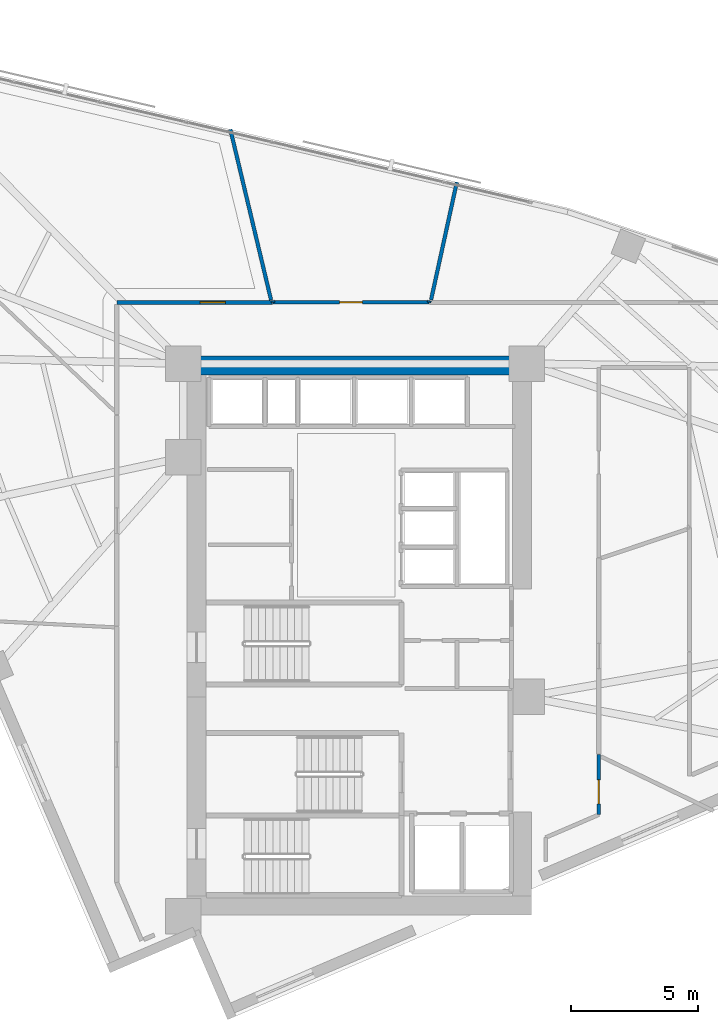
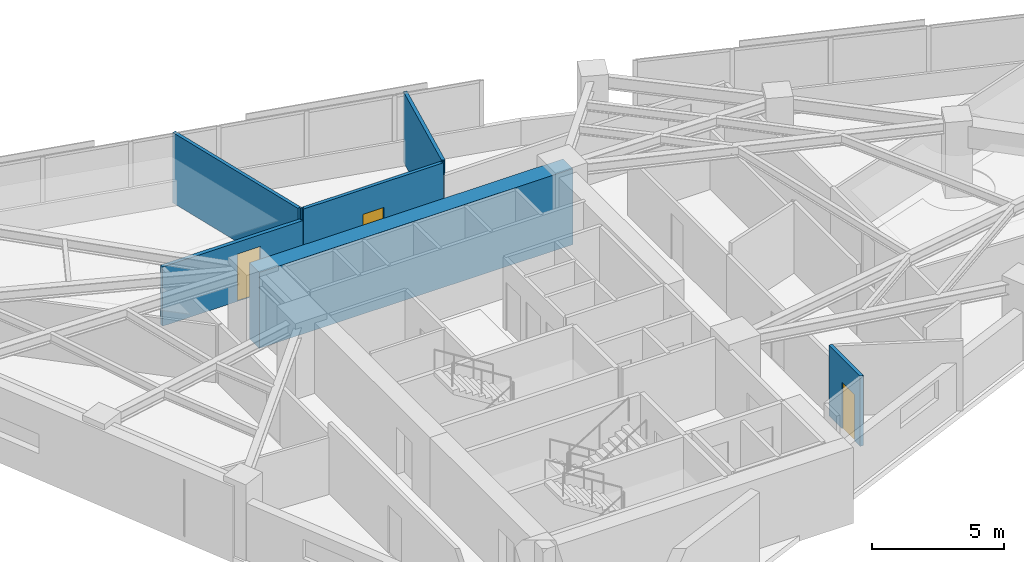
# One storey, part 10 of 15: 8 walls, 3 doors, 3 openings.
"""IFC4 building model written with IfcOpenShell, lengths in metres."""

from ifc_helpers import new_model, si_unit, direction, frame, frame_2d, origin, place, context, subcontext, project, spatial, rectangle, extrude, material, layer, layer_set, type_object, element, fill, save


model = new_model("IFC4")

# Units and contexts
model_context = context("Model", 3, precision=1e-05, world=origin(), true_north=direction((0.0, 1.0)))
body_context = subcontext(model_context, "Body", "Model", "MODEL_VIEW")
ifc_project = project(units=[si_unit("LENGTHUNIT", "METRE"), si_unit("AREAUNIT", "SQUARE_METRE"), si_unit("VOLUMEUNIT", "CUBIC_METRE"), si_unit("PLANEANGLEUNIT", "RADIAN"), si_unit("MASSUNIT", "GRAM", prefix="KILO")], contexts=[model_context])

# Site, building, storey
site_placement = place(None, origin())
site = spatial("IfcSite", under=ifc_project, at=site_placement, CompositionType="ELEMENT")
building_placement = place(site_placement, origin())
building = spatial("IfcBuilding", under=site, at=building_placement, Name="Narakoshi Arena Tower", CompositionType="ELEMENT")
storey_placement = place(building_placement, frame((0.0, 0.0, 186.139892578125)))
storey = spatial("IfcBuildingStorey", under=building, at=storey_placement, Name="L50", CompositionType="ELEMENT", Elevation=186.139892578125)

# Wall
ifc_material_1 = material(Name="Concrete C50/60", Category="concrete")
ifc_layer_1 = layer(ifc_material_1, 0.75)
ifc_layer_set_1 = layer_set([ifc_layer_1], Name="Concrete C50/60")
wall_type_1 = type_object("IfcWallType", Name="WL-CORE-750", PredefinedType="SHEAR", material=ifc_layer_set_1)
wall_1_placement = place(storey_placement, frame((72.0, 56.425048828125, -0.260009765625), z_axis=(0.0, 0.0, 1.0), x_axis=(1.0, 0.0, 0.0)))
element("IfcWall", 1, at=wall_1_placement, inside=storey, type_object=wall_type_1, Name="L50 Main Core Shear Wall CW-MN-N", PredefinedType="SHEAR", context=body_context, shape_type="SweptSolid", body=[
    extrude(rectangle(XDim=13.75, YDim=0.75, at=frame_2d((6.875, 0.0))), origin(), (0.0, 0.0, 1.0), 3.52001953125),
])

# Wall, opening, door
ifc_material_2 = material(Name="Gypsum plasterboard fire-rated partition")
ifc_layer_2 = layer(ifc_material_2, 0.1650390625)
ifc_layer_set_2 = layer_set([ifc_layer_2], Name="Gypsum plasterboard fire-rated partition")
wall_type_2 = type_object("IfcWallType", Name="WL-CORR-165", PredefinedType="PARTITIONING", material=ifc_layer_set_2)
wall_2_placement = place(storey_placement, frame((75.524169921875, 58.9189453125, 0.0), z_axis=(0.0, 0.0, 1.0), x_axis=(-1.0, 0.0, 0.0)))
wall_2 = element("IfcWall", 2, at=wall_2_placement, inside=storey, type_object=wall_type_2, Name="L50 Corridor Partition 07-1", PredefinedType="PARTITIONING", context=body_context, shape_type="SweptSolid", body=[
    extrude(rectangle(XDim=6.14794921875, YDim=0.1650390625, at=frame_2d((3.073974609375, 0.0))), origin(), (0.0, 0.0, 1.0), 2.7451171875),
])
opening_1_placement = place(wall_2_placement, frame((1.86181640625, 0.0, 0.0)))
opening_1 = element("IfcOpeningElement", 3, at=opening_1_placement, cuts=wall_2, Name="Opening D-06", PredefinedType="OPENING", context=body_context, shape_type="SweptSolid", body=[
    extrude(rectangle(XDim=1.0, YDim=2.199951171875, at=frame_2d((0.5, 1.10009765625))), frame((0.0, 0.092529296875, 0.0), z_axis=(0.0, -1.0, 0.0), x_axis=(1.0, 0.0, 0.0)), (0.0, 0.0, 1.0), 0.18505859375),
])
ifc_material_3 = material(Name="Stained oak solid-core timber", Category="wood")
door_type_1 = type_object("IfcDoorType", Name="DR-OFF-1000", OperationType="NOTDEFINED", PredefinedType="DOOR", material=ifc_material_3)
door_1_placement = place(opening_1_placement, frame((1.0, 0.0, 0.0), z_axis=(0.0, 0.0, 1.0), x_axis=(-1.0, 0.0, 0.0)))
door_1 = element("IfcDoor", 4, at=door_1_placement, inside=storey, type_object=door_type_1, Name="DR-L50-021", OperationType="SINGLE_SWING_RIGHT", OverallHeight=2.199951171875, OverallWidth=1.0, PredefinedType="DOOR", context=body_context, shape_type="SweptSolid", body=[
    extrude(rectangle(XDim=1.0, YDim=2.199951171875, at=frame_2d((0.5, 1.10009765625))), frame((0.0, 0.02490234375, 0.0), z_axis=(0.0, -1.0, 0.0), x_axis=(1.0, 0.0, 0.0)), (0.0, 0.0, 1.0), 0.050048828125),
])
fill(opening_1, door_1)

ifc_material_4 = material(Name="Moisture-resistant cement-board partition")
ifc_layer_3 = layer(ifc_material_4, 0.14501953125)
ifc_layer_set_3 = layer_set([ifc_layer_3], Name="Moisture-resistant cement-board partition")
wall_type_3 = type_object("IfcWallType", Name="WL-WET-145", PredefinedType="PARTITIONING", material=ifc_layer_set_3)
wall_3_placement = place(storey_placement, frame((88.39990234375, 38.69921875, 0.0), z_axis=(0.0, 0.0, 1.0), x_axis=(0.0, 1.0, 0.0)))
wall_3 = element("IfcWall", 5, at=wall_3_placement, inside=storey, type_object=wall_type_3, Name="L50 Corridor Partition 02-1", PredefinedType="PARTITIONING", context=body_context, shape_type="SweptSolid", body=[
    extrude(rectangle(XDim=2.37451171875, YDim=0.14501953125, at=frame_2d((1.187255859375, 0.0))), origin(), (0.0, 0.0, 1.0), 3.260009765625),
])
opening_2_placement = place(wall_3_placement, frame((0.42529296875, 0.0, 0.0)))
opening_2 = element("IfcOpeningElement", 6, at=opening_2_placement, cuts=wall_3, Name="Opening D-07", PredefinedType="OPENING", context=body_context, shape_type="SweptSolid", body=[
    extrude(rectangle(XDim=0.949951171875, YDim=2.14990234375, at=frame_2d((0.47509765625, 1.074951171875))), frame((0.0, 0.08251953125, 0.0), z_axis=(0.0, -1.0, 0.0), x_axis=(1.0, 0.0, 0.0)), (0.0, 0.0, 1.0), 0.1650390625),
])
door_type_2 = type_object("IfcDoorType", Name="DR-ACC-950", OperationType="NOTDEFINED", PredefinedType="DOOR", material=ifc_material_3)
door_2_placement = place(opening_2_placement, frame((0.949951171875, 0.0, 0.0), z_axis=(0.0, 0.0, 1.0), x_axis=(-1.0, 0.0, 0.0)))
door_2 = element("IfcDoor", 7, at=door_2_placement, inside=storey, type_object=door_type_2, Name="DR-L50-016", OperationType="SINGLE_SWING_RIGHT", OverallHeight=2.14990234375, OverallWidth=0.949951171875, PredefinedType="DOOR", context=body_context, shape_type="SweptSolid", body=[
    extrude(rectangle(XDim=0.949951171875, YDim=2.14990234375, at=frame_2d((0.47509765625, 1.074951171875))), frame((0.0, 0.02490234375, 0.0), z_axis=(0.0, -1.0, 0.0), x_axis=(1.0, 0.0, 0.0)), (0.0, 0.0, 1.0), 0.050048828125),
])
fill(opening_2, door_2)

# Walls
wall_4_placement = place(storey_placement, frame((81.779052734375, 59.013427734375, 0.0), z_axis=(0.0, 0.0, 1.0), x_axis=(0.213583679224, 0.976924772933, 0.0)))
element("IfcWall", 8, at=wall_4_placement, inside=storey, type_object=wall_type_3, Name="L50 Inter-Room Partition 06-08", PredefinedType="PARTITIONING", context=body_context, shape_type="SweptSolid", body=[
    extrude(rectangle(XDim=4.759765625, YDim=0.14501953125, at=frame_2d((2.3798828125, 0.0))), origin(), (0.0, 0.0, 1.0), 3.260009765625),
])
wall_5_placement = place(storey_placement, frame((73.85888671875, 65.74365234375, 0.0), z_axis=(0.0, 0.0, 1.0), x_axis=(0.232068908896, -0.972699347961, 0.0)))
element("IfcWall", 9, at=wall_5_placement, inside=storey, type_object=wall_type_3, Name="L50 Inter-Room Partition 07-08", PredefinedType="PARTITIONING", context=body_context, shape_type="SweptSolid", body=[
    extrude(rectangle(XDim=6.919189453125, YDim=0.14501953125, at=frame_2d((3.45947265625, 0.0))), origin(), (0.0, 0.0, 1.0), 3.260009765625),
])

# Wall, opening, door
wall_6_placement = place(storey_placement, frame((81.697021484375, 58.9189453125, 0.0), z_axis=(0.0, 0.0, 1.0), x_axis=(-1.0, 0.0, 0.0)))
wall_6 = element("IfcWall", 10, at=wall_6_placement, inside=storey, type_object=wall_type_3, Name="L50 Corridor Partition 08-1", PredefinedType="PARTITIONING", context=body_context, shape_type="SweptSolid", body=[
    extrude(rectangle(XDim=6.148193359375, YDim=0.14501953125, at=frame_2d((3.07421875, 0.0))), origin(), (0.0, 0.0, 1.0), 3.260009765625),
])
opening_3_placement = place(wall_6_placement, frame((2.6240234375, 0.0, 0.0)))
opening_3 = element("IfcOpeningElement", 11, at=opening_3_placement, cuts=wall_6, Name="Opening D-08", PredefinedType="OPENING", context=body_context, shape_type="SweptSolid", body=[
    extrude(rectangle(XDim=0.89990234375, YDim=2.10009765625, at=frame_2d((0.449951171875, 1.050048828125))), frame((0.0, 0.08251953125, 0.0), z_axis=(0.0, -1.0, 0.0), x_axis=(1.0, 0.0, 0.0)), (0.0, 0.0, 1.0), 0.1650390625),
])
ifc_material_5 = material(Name="Moisture-resistant laminate timber", Category="wood")
door_type_3 = type_object("IfcDoorType", Name="DR-WC-900", OperationType="NOTDEFINED", PredefinedType="DOOR", material=ifc_material_5)
door_3_placement = place(opening_3_placement, frame((0.89990234375, 0.0, 0.0), z_axis=(0.0, 0.0, 1.0), x_axis=(-1.0, 0.0, 0.0)))
door_3 = element("IfcDoor", 12, at=door_3_placement, inside=storey, type_object=door_type_3, Name="DR-L50-022", OperationType="SINGLE_SWING_LEFT", OverallHeight=2.10009765625, OverallWidth=0.89990234375, PredefinedType="DOOR", context=body_context, shape_type="SweptSolid", body=[
    extrude(rectangle(XDim=0.89990234375, YDim=2.10009765625, at=frame_2d((0.449951171875, 1.050048828125))), frame((0.0, 0.02490234375, 0.0), z_axis=(0.0, -1.0, 0.0), x_axis=(1.0, 0.0, 0.0)), (0.0, 0.0, 1.0), 0.050048828125),
])
fill(opening_3, door_3)

# Walls
wall_7_placement = place(storey_placement, frame((75.548828125, 58.9189453125, 0.0), z_axis=(0.0, 0.0, 1.0), x_axis=(-0.236956180191, 0.971520338783, 0.0)))
element("IfcWall", 13, at=wall_7_placement, inside=storey, type_object=wall_type_3, Name="L50 Corridor Partition 08-2", PredefinedType="PARTITIONING", context=body_context, shape_type="SweptSolid", body=[
    extrude(rectangle(XDim=0.061767578125, YDim=0.14501953125, at=frame_2d((0.03076171875, 0.0))), origin(), (0.0, 0.0, 1.0), 3.260009765625),
])
wall_8_placement = place(storey_placement, frame((81.710205078125, 58.97900390625, 0.0), z_axis=(0.0, 0.0, 1.0), x_axis=(-0.214407294843, -0.976744343172, 0.0)))
element("IfcWall", 14, at=wall_8_placement, inside=storey, type_object=wall_type_3, Name="L50 Corridor Partition 08-3", PredefinedType="PARTITIONING", context=body_context, shape_type="SweptSolid", body=[
    extrude(rectangle(XDim=0.0615234375, YDim=0.14501953125, at=frame_2d((0.03076171875, 0.0))), origin(), (0.0, 0.0, 1.0), 3.260009765625),
])

save(model, "model.ifc")
